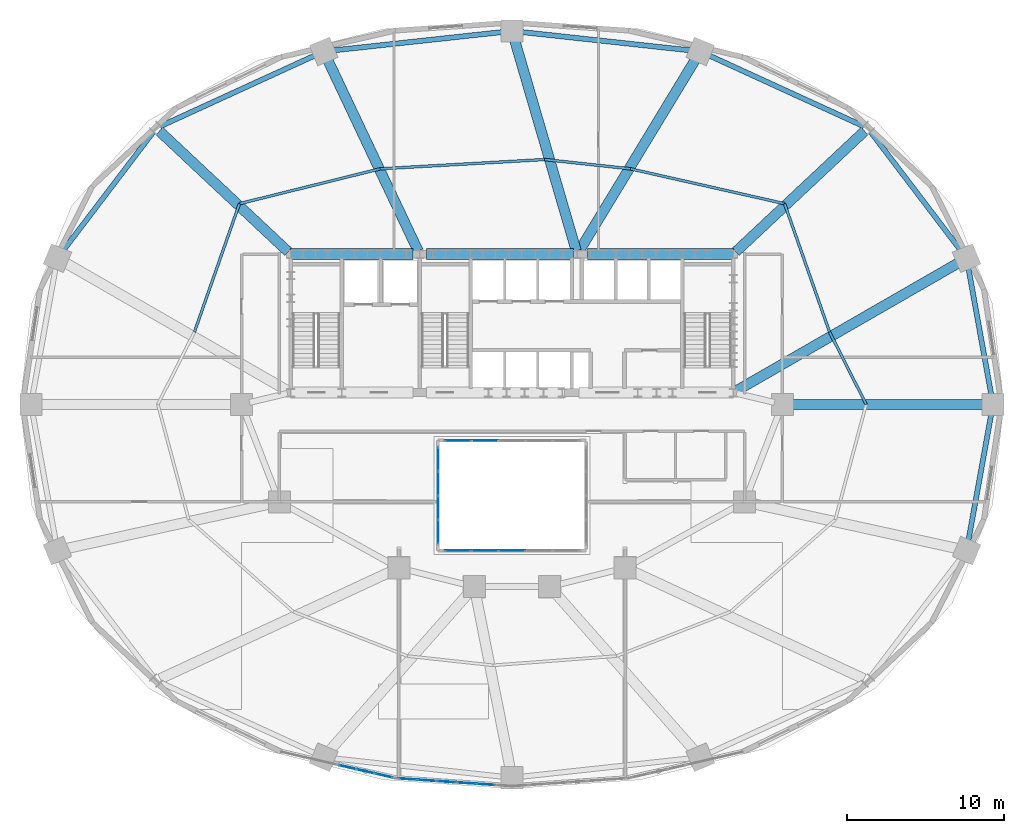
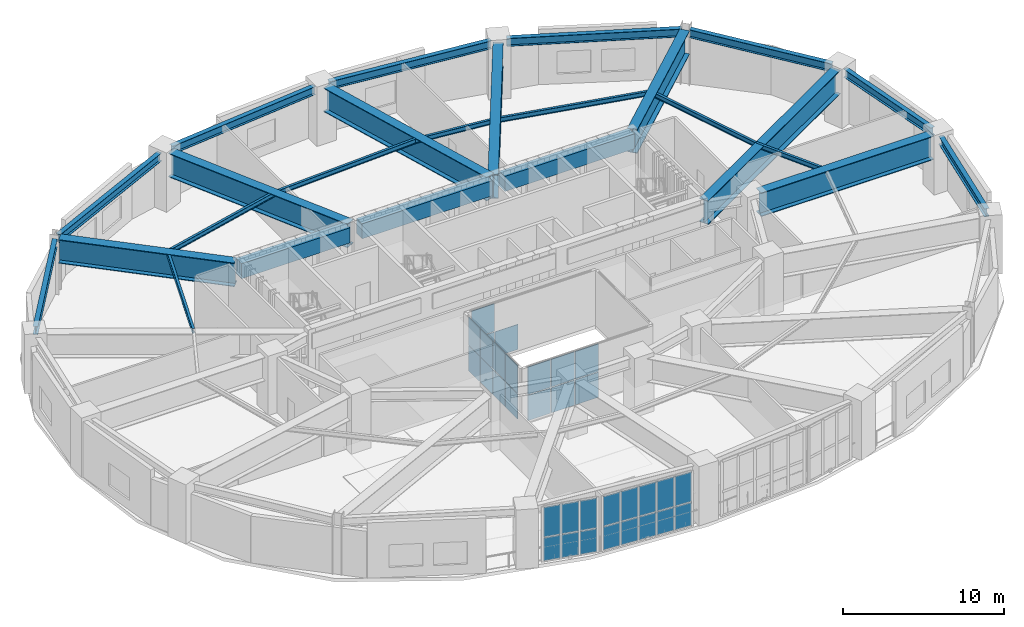
# One storey, part 7 of 13: 33 plates, 25 beams, 5 elements without a shape of their own.
"""IFC4 building model written with IfcOpenShell, lengths in metres."""

from ifc_helpers import new_model, si_unit, direction, frame, origin, origin_2d, place, context, subcontext, project, spatial, rectangle, i_section, extrude, material, layer, layer_set, material_profile, profile_set, type_object, element, aggregate, save


model = new_model("IFC4")

# Units and contexts
model_context = context("Model", 3, precision=1e-05, world=origin(), true_north=direction((0.0, 1.0)))
body_context = subcontext(model_context, "Body", "Model", "MODEL_VIEW")
ifc_project = project(units=[si_unit("LENGTHUNIT", "METRE"), si_unit("AREAUNIT", "SQUARE_METRE"), si_unit("VOLUMEUNIT", "CUBIC_METRE"), si_unit("PLANEANGLEUNIT", "RADIAN"), si_unit("MASSUNIT", "GRAM", prefix="KILO")], contexts=[model_context])

# Site, building, storey
site_placement = place(None, origin())
site = spatial("IfcSite", under=ifc_project, at=site_placement, CompositionType="ELEMENT")
building_placement = place(site_placement, origin())
building = spatial("IfcBuilding", under=site, at=building_placement, Name="Haldorwick Loom Tower", CompositionType="ELEMENT")
storey_placement = place(building_placement, frame((0.0, 0.0, 72.300048828125)))
storey = spatial("IfcBuildingStorey", under=building, at=storey_placement, Name="L19", CompositionType="ELEMENT", Elevation=72.300048828125)

# Beams
ifc_material_1 = material(Name="Concrete C60 (60 MPa)", Category="concrete")
ifc_material_profile_1 = material_profile(ifc_material_1, rectangle(XDim=0.699951171875, YDim=1.14990234375, at=origin_2d()), Name="RC700X1150", Category="concrete")
ifc_profile_set_1 = profile_set([ifc_material_profile_1], Name="Concrete C60 (60 MPa)")
beam_type_1 = type_object("IfcBeamType", Name="STR-BM-CB1150", PredefinedType="LINTEL", material=ifc_profile_set_1)
beam_1_placement = place(storey_placement, frame((21.89990234375, 35.550048828125, 3.625), z_axis=(1.0, 0.0, 0.0), x_axis=(0.0, 1.0, 0.0)))
element("IfcBeam", 1, at=beam_1_placement, inside=storey, type_object=beam_type_1, Name="L19 Core Coupling Beam CB-N1", PredefinedType="LINTEL", context=body_context, shape_type="SweptSolid", body=[
    extrude(rectangle(XDim=0.699951171875, YDim=1.14990234375, at=origin_2d()), origin(), (0.0, 0.0, 1.0), 7.800048828125),
])
beam_2_placement = place(storey_placement, frame((30.550048828125, 35.550048828125, 3.625), z_axis=(1.0, 0.0, 0.0), x_axis=(0.0, 1.0, 0.0)))
element("IfcBeam", 2, at=beam_2_placement, inside=storey, type_object=beam_type_1, Name="L19 Core Coupling Beam CB-N2", PredefinedType="LINTEL", context=body_context, shape_type="SweptSolid", body=[
    extrude(rectangle(XDim=0.699951171875, YDim=1.14990234375, at=origin_2d()), origin(), (0.0, 0.0, 1.0), 9.349853515625),
])
beam_3_placement = place(storey_placement, frame((40.800048828125, 35.550048828125, 3.625), z_axis=(1.0, 0.0, 0.0), x_axis=(0.0, 1.0, 0.0)))
element("IfcBeam", 3, at=beam_3_placement, inside=storey, type_object=beam_type_1, Name="L19 Core Coupling Beam CB-N3", PredefinedType="LINTEL", context=body_context, shape_type="SweptSolid", body=[
    extrude(rectangle(XDim=0.699951171875, YDim=1.14990234375, at=origin_2d()), origin(), (0.0, 0.0, 1.0), 9.300048828125),
])
ifc_material_2 = material(Name="Steel CSA G40.21 350W", Category="steel")
ifc_material_profile_2 = material_profile(ifc_material_2, i_section(OverallWidth=0.172119140625, OverallDepth=0.35791015625, WebThickness=0.0078125, FlangeThickness=0.01318359375, at=origin_2d()), Name="W360X57", Category="steel")
ifc_profile_set_2 = profile_set([ifc_material_profile_2], Name="Steel CSA G40.21 350W")
beam_type_2 = type_object("IfcBeamType", Name="STR-BM-J360", PredefinedType="JOIST", material=ifc_profile_set_2)
beam_4_placement = place(storey_placement, frame((58.52880859375, 26.0, 4.02099609375), z_axis=(-0.451373231558, 0.892335254169, 0.0), x_axis=(-0.892335254169, -0.451373231558, 0.0)))
element("IfcBeam", 4, at=beam_4_placement, inside=storey, type_object=beam_type_2, Name="L19 Mid-Bay Secondary Joist 1", PredefinedType="JOIST", context=body_context, shape_type="SweptSolid", body=[
    extrude(i_section(OverallWidth=0.172119140625, OverallDepth=0.35791015625, WebThickness=0.0078125, FlangeThickness=0.01318359375, at=origin_2d()), origin(), (0.0, 0.0, 1.0), 5.158935546875),
])
beam_5_placement = place(storey_placement, frame((56.2001953125, 30.603515625, 4.02099609375), z_axis=(-0.330864603503, 0.943678236556, 0.0), x_axis=(-0.943678236556, -0.330864603503, 0.0)))
element("IfcBeam", 5, at=beam_5_placement, inside=storey, type_object=beam_type_2, Name="L19 Mid-Bay Secondary Joist 2", PredefinedType="JOIST", context=body_context, shape_type="SweptSolid", body=[
    extrude(i_section(OverallWidth=0.172119140625, OverallDepth=0.35791015625, WebThickness=0.0078125, FlangeThickness=0.01318359375, at=origin_2d()), origin(), (0.0, 0.0, 1.0), 8.6494140625),
])
beam_6_placement = place(storey_placement, frame((53.33837890625, 38.765869140625, 4.02099609375), z_axis=(-0.975380231772, 0.22052982444, 0.0), x_axis=(-0.22052982444, -0.975380231772, 0.0)))
element("IfcBeam", 6, at=beam_6_placement, inside=storey, type_object=beam_type_2, Name="L19 Mid-Bay Secondary Joist 3", PredefinedType="JOIST", context=body_context, shape_type="SweptSolid", body=[
    extrude(i_section(OverallWidth=0.172119140625, OverallDepth=0.35791015625, WebThickness=0.0078125, FlangeThickness=0.01318359375, at=origin_2d()), origin(), (0.0, 0.0, 1.0), 10.0576171875),
])
beam_7_placement = place(storey_placement, frame((43.5283203125, 40.98388671875, 4.02099609375), z_axis=(-0.994191869342, 0.107622148904, 0.0), x_axis=(-0.107622148904, -0.994191869342, 0.0)))
element("IfcBeam", 7, at=beam_7_placement, inside=storey, type_object=beam_type_2, Name="L19 Mid-Bay Secondary Joist 4", PredefinedType="JOIST", context=body_context, shape_type="SweptSolid", body=[
    extrude(i_section(OverallWidth=0.172119140625, OverallDepth=0.35791015625, WebThickness=0.0078125, FlangeThickness=0.01318359375, at=origin_2d()), origin(), (0.0, 0.0, 1.0), 5.485107421875),
])
beam_8_placement = place(storey_placement, frame((38.074951171875, 41.57421875, 4.02099609375), z_axis=(-0.998412171013, -0.056330602457, 0.0), x_axis=(0.056330602457, -0.998412171013, 0.0)))
element("IfcBeam", 8, at=beam_8_placement, inside=storey, type_object=beam_type_2, Name="L19 Mid-Bay Secondary Joist 5", PredefinedType="JOIST", context=body_context, shape_type="SweptSolid", body=[
    extrude(i_section(OverallWidth=0.172119140625, OverallDepth=0.35791015625, WebThickness=0.0078125, FlangeThickness=0.01318359375, at=origin_2d()), origin(), (0.0, 0.0, 1.0), 10.479736328125),
])
beam_9_placement = place(storey_placement, frame((27.61181640625, 40.98388671875, 4.02099609375), z_axis=(-0.970638838364, -0.240541567009, 0.0), x_axis=(0.240541567009, -0.970638838364, 0.0)))
element("IfcBeam", 9, at=beam_9_placement, inside=storey, type_object=beam_type_2, Name="L19 Mid-Bay Secondary Joist 6", PredefinedType="JOIST", context=body_context, shape_type="SweptSolid", body=[
    extrude(i_section(OverallWidth=0.172119140625, OverallDepth=0.35791015625, WebThickness=0.0078125, FlangeThickness=0.01318359375, at=origin_2d()), origin(), (0.0, 0.0, 1.0), 9.220947265625),
])
beam_10_placement = place(storey_placement, frame((18.66162109375, 38.765869140625, 4.02099609375), z_axis=(-0.330864603503, -0.943678236556, 0.0), x_axis=(0.943678236556, -0.330864603503, 0.0)))
element("IfcBeam", 10, at=beam_10_placement, inside=storey, type_object=beam_type_2, Name="L19 Mid-Bay Secondary Joist 7", PredefinedType="JOIST", context=body_context, shape_type="SweptSolid", body=[
    extrude(i_section(OverallWidth=0.172119140625, OverallDepth=0.35791015625, WebThickness=0.0078125, FlangeThickness=0.01318359375, at=origin_2d()), origin(), (0.0, 0.0, 1.0), 8.6494140625),
])
ifc_material_profile_3 = material_profile(ifc_material_2, i_section(OverallWidth=0.324951171875, OverallDepth=0.615966796875, WebThickness=0.013916015625, FlangeThickness=0.021484375, at=origin_2d()), Name="W610X174", Category="steel")
ifc_profile_set_3 = profile_set([ifc_material_profile_3], Name="Steel CSA G40.21 350W")
beam_type_3 = type_object("IfcBeamType", Name="STR-BM-SP610", PredefinedType="SPANDREL", material=ifc_profile_set_3)
beam_11_placement = place(storey_placement, frame((66.503662109375, 26.51171875, 3.891845703125), z_axis=(-0.177641139482, 0.984095333575, 0.0), x_axis=(-0.984095333575, -0.177641139482, 0.0)))
element("IfcBeam", 11, at=beam_11_placement, inside=storey, type_object=beam_type_3, Name="L19 Perimeter Spandrel 1", PredefinedType="SPANDREL", context=body_context, shape_type="SweptSolid", body=[
    extrude(i_section(OverallWidth=0.324951171875, OverallDepth=0.615966796875, WebThickness=0.013916015625, FlangeThickness=0.021484375, at=origin_2d()), origin(), (0.0, 0.0, 1.0), 8.40966796875),
])
beam_12_placement = place(storey_placement, frame((64.602783203125, 35.713134765625, 3.891845703125), z_axis=(-0.605084557744, 0.796161213562, 0.0), x_axis=(-0.796161213562, -0.605084557744, 0.0)))
element("IfcBeam", 12, at=beam_12_placement, inside=storey, type_object=beam_type_3, Name="L19 Perimeter Spandrel 2", PredefinedType="SPANDREL", context=body_context, shape_type="SweptSolid", body=[
    extrude(i_section(OverallWidth=0.324951171875, OverallDepth=0.615966796875, WebThickness=0.013916015625, FlangeThickness=0.021484375, at=origin_2d()), origin(), (0.0, 0.0, 1.0), 9.595703125),
])
beam_13_placement = place(storey_placement, frame((58.380126953125, 43.68603515625, 3.891845703125), z_axis=(-0.909173805321, 0.416416848504, 0.0), x_axis=(-0.416416848504, -0.909173805321, 0.0)))
element("IfcBeam", 13, at=beam_13_placement, inside=storey, type_object=beam_type_3, Name="L19 Perimeter Spandrel 3", PredefinedType="SPANDREL", context=body_context, shape_type="SweptSolid", body=[
    extrude(i_section(OverallWidth=0.324951171875, OverallDepth=0.615966796875, WebThickness=0.013916015625, FlangeThickness=0.021484375, at=origin_2d()), origin(), (0.0, 0.0, 1.0), 10.92138671875),
])
for number, where, z_axis, x_axis, name in (
    (14, (47.4609375, 48.50634765625, 3.891845703125), (-0.994164438636, 0.107875247167, 0.0), (-0.107875247167, -0.994164438636, 0.0), "L19 Perimeter Spandrel 4"),
    (15, (35.48291015625, 49.69384765625, 3.891845703125), (-0.994164438636, -0.107875247167, 0.0), (0.107875247167, -0.994164438636, 0.0), "L19 Perimeter Spandrel 5"),
):
    element("IfcBeam", number, at=place(storey_placement, frame(where, z_axis=z_axis, x_axis=x_axis)), inside=storey, type_object=beam_type_3, Name=name, PredefinedType="SPANDREL", context=body_context, shape_type="SweptSolid", body=[
        extrude(i_section(OverallWidth=0.324951171875, OverallDepth=0.615966796875, WebThickness=0.013916015625, FlangeThickness=0.021484375, at=origin_2d()), origin(), (0.0, 0.0, 1.0), 11.008056640625),
    ])
beam_14_placement = place(storey_placement, frame((23.54931640625, 48.23388671875, 3.891845703125), z_axis=(-0.909173805321, -0.416416848504, 0.0), x_axis=(0.416416848504, -0.909173805321, 0.0)))
element("IfcBeam", 16, at=beam_14_placement, inside=storey, type_object=beam_type_3, Name="L19 Perimeter Spandrel 6", PredefinedType="SPANDREL", context=body_context, shape_type="SweptSolid", body=[
    extrude(i_section(OverallWidth=0.324951171875, OverallDepth=0.615966796875, WebThickness=0.013916015625, FlangeThickness=0.021484375, at=origin_2d()), origin(), (0.0, 0.0, 1.0), 10.92138671875),
])
beam_15_placement = place(storey_placement, frame((13.203369140625, 43.352783203125, 3.891845703125), z_axis=(-0.605084557744, -0.796161213562, 0.0), x_axis=(0.796161213562, -0.605084557744, 0.0)))
element("IfcBeam", 17, at=beam_15_placement, inside=storey, type_object=beam_type_3, Name="L19 Perimeter Spandrel 7", PredefinedType="SPANDREL", context=body_context, shape_type="SweptSolid", body=[
    extrude(i_section(OverallWidth=0.324951171875, OverallDepth=0.615966796875, WebThickness=0.013916015625, FlangeThickness=0.021484375, at=origin_2d()), origin(), (0.0, 0.0, 1.0), 9.595703125),
])
beam_16_placement = place(storey_placement, frame((65.009765625, 17.21240234375, 3.891845703125), z_axis=(0.177641139482, 0.984095333575, 0.0), x_axis=(-0.984095333575, 0.177641139482, 0.0)))
element("IfcBeam", 18, at=beam_16_placement, inside=storey, type_object=beam_type_3, Name="L19 Perimeter Spandrel 16", PredefinedType="SPANDREL", context=body_context, shape_type="SweptSolid", body=[
    extrude(i_section(OverallWidth=0.324951171875, OverallDepth=0.615966796875, WebThickness=0.013916015625, FlangeThickness=0.021484375, at=origin_2d()), origin(), (0.0, 0.0, 1.0), 8.40966796875),
])
ifc_material_3 = material(Name="Steel CSA G40.21 350WT", Category="steel")
ifc_material_profile_4 = material_profile(ifc_material_3, i_section(OverallWidth=0.64990234375, OverallDepth=1.800048828125, WebThickness=0.02587890625, FlangeThickness=0.048095703125, at=origin_2d()), Name="WWF1800X650", Category="steel")
ifc_profile_set_4 = profile_set([ifc_material_profile_4], Name="Steel CSA G40.21 350WT")
beam_type_4 = type_object("IfcBeamType", Name="STR-BM-TG1800", PredefinedType="BEAM", material=ifc_profile_set_4)
beam_17_placement = place(storey_placement, frame((53.719970703125, 26.0, 3.300048828125), z_axis=(1.0, 0.0, 0.0), x_axis=(0.0, 1.0, 0.0)))
element("IfcBeam", 19, at=beam_17_placement, inside=storey, type_object=beam_type_4, Name="L19 Setback Inner Transfer Girder 1", PredefinedType="BEAM", context=body_context, shape_type="SweptSolid", body=[
    extrude(i_section(OverallWidth=0.64990234375, OverallDepth=1.800048828125, WebThickness=0.02587890625, FlangeThickness=0.048095703125, at=origin_2d()), origin(), (0.0, 0.0, 1.0), 12.35595703125),
])
beam_18_placement = place(storey_placement, frame((50.264892578125, 26.8623046875, 3.300048828125), z_axis=(0.86660566838, 0.498993602696, 0.0), x_axis=(-0.498993602696, 0.86660566838, 0.0)))
element("IfcBeam", 20, at=beam_18_placement, inside=storey, type_object=beam_type_4, Name="L19 Setback Inner Transfer Girder 2", PredefinedType="BEAM", context=body_context, shape_type="SweptSolid", body=[
    extrude(i_section(OverallWidth=0.64990234375, OverallDepth=1.800048828125, WebThickness=0.02587890625, FlangeThickness=0.048095703125, at=origin_2d()), origin(), (0.0, 0.0, 1.0), 16.387939453125),
])
beam_19_placement = place(storey_placement, frame((50.234130859375, 35.703857421875, 3.300048828125), z_axis=(0.729689033278, 0.683779141766, 0.0), x_axis=(-0.683779141766, 0.729689033278, 0.0)))
element("IfcBeam", 21, at=beam_19_placement, inside=storey, type_object=beam_type_4, Name="L19 Setback Inner Transfer Girder 3", PredefinedType="BEAM", context=body_context, shape_type="SweptSolid", body=[
    extrude(i_section(OverallWidth=0.64990234375, OverallDepth=1.800048828125, WebThickness=0.02587890625, FlangeThickness=0.048095703125, at=origin_2d()), origin(), (0.0, 0.0, 1.0), 11.231201171875),
])
beam_20_placement = place(storey_placement, frame((40.2666015625, 35.742431640625, 3.300048828125), z_axis=(0.518781813409, 0.854906679162, 0.0), x_axis=(-0.854906679162, 0.518781813409, 0.0)))
element("IfcBeam", 22, at=beam_20_placement, inside=storey, type_object=beam_type_4, Name="L19 Setback Inner Transfer Girder 4", PredefinedType="BEAM", context=body_context, shape_type="SweptSolid", body=[
    extrude(i_section(OverallWidth=0.64990234375, OverallDepth=1.800048828125, WebThickness=0.02587890625, FlangeThickness=0.048095703125, at=origin_2d()), origin(), (0.0, 0.0, 1.0), 14.344482421875),
])
beam_21_placement = place(storey_placement, frame((40.0869140625, 35.76611328125, 3.300048828125), z_axis=(-0.28051378914, 0.959849995625, 0.0), x_axis=(-0.959849995625, -0.28051378914, 0.0)))
element("IfcBeam", 23, at=beam_21_placement, inside=storey, type_object=beam_type_4, Name="L19 Setback Inner Transfer Girder 5", PredefinedType="BEAM", context=body_context, shape_type="SweptSolid", body=[
    extrude(i_section(OverallWidth=0.64990234375, OverallDepth=1.800048828125, WebThickness=0.02587890625, FlangeThickness=0.048095703125, at=origin_2d()), origin(), (0.0, 0.0, 1.0), 14.048828125),
])
beam_22_placement = place(storey_placement, frame((30.03369140625, 35.75341796875, 3.300048828125), z_axis=(-0.427945149389, 0.903804707398, 0.0), x_axis=(-0.903804707398, -0.427945149389, 0.0)))
element("IfcBeam", 24, at=beam_22_placement, inside=storey, type_object=beam_type_4, Name="L19 Setback Inner Transfer Girder 6", PredefinedType="BEAM", context=body_context, shape_type="SweptSolid", body=[
    extrude(i_section(OverallWidth=0.64990234375, OverallDepth=1.800048828125, WebThickness=0.02587890625, FlangeThickness=0.048095703125, at=origin_2d()), origin(), (0.0, 0.0, 1.0), 13.528076171875),
])
beam_23_placement = place(storey_placement, frame((21.765869140625, 35.703857421875, 3.300048828125), z_axis=(-0.729689033278, 0.683779141766, 0.0), x_axis=(-0.683779141766, -0.729689033278, 0.0)))
element("IfcBeam", 25, at=beam_23_placement, inside=storey, type_object=beam_type_4, Name="L19 Setback Inner Transfer Girder 7", PredefinedType="BEAM", context=body_context, shape_type="SweptSolid", body=[
    extrude(i_section(OverallWidth=0.64990234375, OverallDepth=1.800048828125, WebThickness=0.02587890625, FlangeThickness=0.048095703125, at=origin_2d()), origin(), (0.0, 0.0, 1.0), 11.231201171875),
])

# Curtain wall, plates
ifc_material_4 = material(Name="Thermally Broken Anodized Aluminium Curtain Wall Framing", Category="aluminium")
curtain_wall_type_1 = type_object("IfcCurtainWallType", Name="ARC-CW-03", PredefinedType="NOTDEFINED", material=ifc_material_4)
curtain_wall_1_placement = place(storey_placement, origin())
curtain_wall_1 = element("IfcCurtainWall", 26, at=curtain_wall_1_placement, inside=storey, type_object=curtain_wall_type_1, Name="L19 Atrium Glazed Screen S", PredefinedType="NOTDEFINED")
ifc_material_5 = material(Name="Triple-Glazed Low-E Argon Insulated Glazing Unit", Category="glass")
ifc_layer_1 = layer(ifc_material_5, 0.04296875, Name="Triple-Glazed Low-E Argon Insulated Glazing Unit", Category="glass")
ifc_layer_set_1 = layer_set([ifc_layer_1], Name="Triple-Glazed Low-E Argon Insulated Glazing Unit")
plate_type_1 = type_object("IfcPlateType", Name="ARC-CWP-03", PredefinedType="CURTAIN_PANEL", material=ifc_layer_set_1)
plate_1_placement = place(storey_placement, frame((36.0, 16.699951171875, 0.06591796875), z_axis=(0.0, 0.0, 1.0), x_axis=(-1.0, 0.0, 0.0)))
plate_1 = element("IfcPlate", 27, at=plate_1_placement, type_object=plate_type_1, Name="CW-03 panel 3.1", PredefinedType="CURTAIN_PANEL", context=body_context, shape_type="SweptSolid", body=[
    extrude(rectangle(XDim=1.654052734375, YDim=0.04296875, at=origin_2d()), origin(), (0.0, 0.0, 1.0), 1.90087890625),
])
plate_2_placement = place(storey_placement, frame((36.0, 16.699951171875, 2.032958984375), z_axis=(0.0, 0.0, 1.0), x_axis=(-1.0, 0.0, 0.0)))
plate_2 = element("IfcPlate", 28, at=plate_2_placement, type_object=plate_type_1, Name="CW-03 panel 3.2", PredefinedType="CURTAIN_PANEL", context=body_context, shape_type="SweptSolid", body=[
    extrude(rectangle(XDim=1.654052734375, YDim=0.04296875, at=origin_2d()), origin(), (0.0, 0.0, 1.0), 2.10107421875),
])
plate_3_placement = place(storey_placement, frame((34.280029296875, 16.699951171875, 0.06591796875), z_axis=(0.0, 0.0, 1.0), x_axis=(-1.0, 0.0, 0.0)))
plate_3 = element("IfcPlate", 29, at=plate_3_placement, type_object=plate_type_1, Name="CW-03 panel 4.1", PredefinedType="CURTAIN_PANEL", context=body_context, shape_type="SweptSolid", body=[
    extrude(rectangle(XDim=1.654052734375, YDim=0.04296875, at=origin_2d()), origin(), (0.0, 0.0, 1.0), 1.90087890625),
])
plate_4_placement = place(storey_placement, frame((34.280029296875, 16.699951171875, 2.032958984375), z_axis=(0.0, 0.0, 1.0), x_axis=(-1.0, 0.0, 0.0)))
plate_4 = element("IfcPlate", 30, at=plate_4_placement, type_object=plate_type_1, Name="CW-03 panel 4.2", PredefinedType="CURTAIN_PANEL", context=body_context, shape_type="SweptSolid", body=[
    extrude(rectangle(XDim=1.654052734375, YDim=0.04296875, at=origin_2d()), origin(), (0.0, 0.0, 1.0), 2.10107421875),
])
plate_5_placement = place(storey_placement, frame((32.576416015625, 16.699951171875, 0.06591796875), z_axis=(0.0, 0.0, 1.0), x_axis=(-1.0, 0.0, 0.0)))
plate_5 = element("IfcPlate", 31, at=plate_5_placement, type_object=plate_type_1, Name="CW-03 panel 5.1", PredefinedType="CURTAIN_PANEL", context=body_context, shape_type="SweptSolid", body=[
    extrude(rectangle(XDim=1.62109375, YDim=0.04296875, at=origin_2d()), origin(), (0.0, 0.0, 1.0), 1.90087890625),
])
plate_6_placement = place(storey_placement, frame((32.576416015625, 16.699951171875, 2.032958984375), z_axis=(0.0, 0.0, 1.0), x_axis=(-1.0, 0.0, 0.0)))
plate_6 = element("IfcPlate", 32, at=plate_6_placement, type_object=plate_type_1, Name="CW-03 panel 5.2", PredefinedType="CURTAIN_PANEL", context=body_context, shape_type="SweptSolid", body=[
    extrude(rectangle(XDim=1.62109375, YDim=0.04296875, at=origin_2d()), origin(), (0.0, 0.0, 1.0), 2.10107421875),
])
aggregate(curtain_wall_1, [plate_1, plate_2, plate_3, plate_4, plate_5, plate_6])

curtain_wall_2_placement = place(storey_placement, origin())
curtain_wall_2 = element("IfcCurtainWall", 33, at=curtain_wall_2_placement, inside=storey, type_object=curtain_wall_type_1, Name="L19 Atrium Glazed Screen N", PredefinedType="NOTDEFINED")
plate_7_placement = place(storey_placement, frame((32.576416015625, 23.699951171875, 0.06591796875), z_axis=(0.0, 0.0, 1.0), x_axis=(1.0, 0.0, 0.0)))
plate_7 = element("IfcPlate", 34, at=plate_7_placement, type_object=plate_type_1, Name="CW-03 panel 1.1", PredefinedType="CURTAIN_PANEL", context=body_context, shape_type="SweptSolid", body=[
    extrude(rectangle(XDim=1.62109375, YDim=0.04296875, at=origin_2d()), origin(), (0.0, 0.0, 1.0), 1.90087890625),
])
plate_8_placement = place(storey_placement, frame((32.576416015625, 23.699951171875, 2.032958984375), z_axis=(0.0, 0.0, 1.0), x_axis=(1.0, 0.0, 0.0)))
plate_8 = element("IfcPlate", 35, at=plate_8_placement, type_object=plate_type_1, Name="CW-03 panel 1.2", PredefinedType="CURTAIN_PANEL", context=body_context, shape_type="SweptSolid", body=[
    extrude(rectangle(XDim=1.62109375, YDim=0.04296875, at=origin_2d()), origin(), (0.0, 0.0, 1.0), 2.10107421875),
])
plate_9_placement = place(storey_placement, frame((34.280029296875, 23.699951171875, 0.06591796875), z_axis=(0.0, 0.0, 1.0), x_axis=(1.0, 0.0, 0.0)))
plate_9 = element("IfcPlate", 36, at=plate_9_placement, type_object=plate_type_1, Name="CW-03 panel 2.1", PredefinedType="CURTAIN_PANEL", context=body_context, shape_type="SweptSolid", body=[
    extrude(rectangle(XDim=1.654052734375, YDim=0.04296875, at=origin_2d()), origin(), (0.0, 0.0, 1.0), 1.90087890625),
])
aggregate(curtain_wall_2, [plate_7, plate_8, plate_9])

curtain_wall_3_placement = place(storey_placement, origin())
curtain_wall_3 = element("IfcCurtainWall", 37, at=curtain_wall_3_placement, inside=storey, type_object=curtain_wall_type_1, Name="L19 Atrium Glazed Screen W", PredefinedType="NOTDEFINED")
plate_10_placement = place(storey_placement, frame((31.300048828125, 17.8916015625, 0.06591796875), z_axis=(0.0, 0.0, 1.0), x_axis=(0.0, 1.0, 0.0)))
plate_10 = element("IfcPlate", 38, at=plate_10_placement, type_object=plate_type_1, Name="CW-03 panel 1.1", PredefinedType="CURTAIN_PANEL", context=body_context, shape_type="SweptSolid", body=[
    extrude(rectangle(XDim=1.450927734375, YDim=0.04296875, at=origin_2d()), origin(), (0.0, 0.0, 1.0), 1.90087890625),
])
plate_11_placement = place(storey_placement, frame((31.300048828125, 17.8916015625, 2.032958984375), z_axis=(0.0, 0.0, 1.0), x_axis=(0.0, 1.0, 0.0)))
plate_11 = element("IfcPlate", 39, at=plate_11_placement, type_object=plate_type_1, Name="CW-03 panel 1.2", PredefinedType="CURTAIN_PANEL", context=body_context, shape_type="SweptSolid", body=[
    extrude(rectangle(XDim=1.450927734375, YDim=0.04296875, at=origin_2d()), origin(), (0.0, 0.0, 1.0), 2.10107421875),
])
plate_12_placement = place(storey_placement, frame((31.300048828125, 19.425048828125, 0.06591796875), z_axis=(0.0, 0.0, 1.0), x_axis=(0.0, 1.0, 0.0)))
plate_12 = element("IfcPlate", 40, at=plate_12_placement, type_object=plate_type_1, Name="CW-03 panel 2.1", PredefinedType="CURTAIN_PANEL", context=body_context, shape_type="SweptSolid", body=[
    extrude(rectangle(XDim=1.48388671875, YDim=0.04296875, at=origin_2d()), origin(), (0.0, 0.0, 1.0), 1.90087890625),
])
plate_13_placement = place(storey_placement, frame((31.300048828125, 19.425048828125, 2.032958984375), z_axis=(0.0, 0.0, 1.0), x_axis=(0.0, 1.0, 0.0)))
plate_13 = element("IfcPlate", 41, at=plate_13_placement, type_object=plate_type_1, Name="CW-03 panel 2.2", PredefinedType="CURTAIN_PANEL", context=body_context, shape_type="SweptSolid", body=[
    extrude(rectangle(XDim=1.48388671875, YDim=0.04296875, at=origin_2d()), origin(), (0.0, 0.0, 1.0), 2.10107421875),
])
plate_14_placement = place(storey_placement, frame((31.300048828125, 20.97509765625, 0.06591796875), z_axis=(0.0, 0.0, 1.0), x_axis=(0.0, 1.0, 0.0)))
plate_14 = element("IfcPlate", 42, at=plate_14_placement, type_object=plate_type_1, Name="CW-03 panel 3.1", PredefinedType="CURTAIN_PANEL", context=body_context, shape_type="SweptSolid", body=[
    extrude(rectangle(XDim=1.48388671875, YDim=0.04296875, at=origin_2d()), origin(), (0.0, 0.0, 1.0), 1.90087890625),
])
plate_15_placement = place(storey_placement, frame((31.300048828125, 20.97509765625, 2.032958984375), z_axis=(0.0, 0.0, 1.0), x_axis=(0.0, 1.0, 0.0)))
plate_15 = element("IfcPlate", 43, at=plate_15_placement, type_object=plate_type_1, Name="CW-03 panel 3.2", PredefinedType="CURTAIN_PANEL", context=body_context, shape_type="SweptSolid", body=[
    extrude(rectangle(XDim=1.48388671875, YDim=0.04296875, at=origin_2d()), origin(), (0.0, 0.0, 1.0), 2.10107421875),
])
plate_16_placement = place(storey_placement, frame((31.300048828125, 22.508544921875, 0.06591796875), z_axis=(0.0, 0.0, 1.0), x_axis=(0.0, 1.0, 0.0)))
plate_16 = element("IfcPlate", 44, at=plate_16_placement, type_object=plate_type_1, Name="CW-03 panel 4.1", PredefinedType="CURTAIN_PANEL", context=body_context, shape_type="SweptSolid", body=[
    extrude(rectangle(XDim=1.450927734375, YDim=0.04296875, at=origin_2d()), origin(), (0.0, 0.0, 1.0), 1.90087890625),
])
plate_17_placement = place(storey_placement, frame((31.300048828125, 22.508544921875, 2.032958984375), z_axis=(0.0, 0.0, 1.0), x_axis=(0.0, 1.0, 0.0)))
plate_17 = element("IfcPlate", 45, at=plate_17_placement, type_object=plate_type_1, Name="CW-03 panel 4.2", PredefinedType="CURTAIN_PANEL", context=body_context, shape_type="SweptSolid", body=[
    extrude(rectangle(XDim=1.450927734375, YDim=0.04296875, at=origin_2d()), origin(), (0.0, 0.0, 1.0), 2.10107421875),
])
aggregate(curtain_wall_3, [plate_10, plate_11, plate_12, plate_13, plate_14, plate_15, plate_16, plate_17])

curtain_wall_type_2 = type_object("IfcCurtainWallType", Name="ARC-CW-05", PredefinedType="NOTDEFINED", material=ifc_material_4)
curtain_wall_4_placement = place(storey_placement, origin())
curtain_wall_4 = element("IfcCurtainWall", 46, at=curtain_wall_4_placement, inside=storey, type_object=curtain_wall_type_2, Name="L19 Facade Curtain Wall CW-05 Bay 17", PredefinedType="NOTDEFINED")
ifc_layer_2 = layer(ifc_material_5, 0.049072265625, Name="Triple-Glazed Low-E Argon Insulated Glazing Unit", Category="glass")
ifc_layer_set_2 = layer_set([ifc_layer_2], Name="Triple-Glazed Low-E Argon Insulated Glazing Unit")
plate_type_2 = type_object("IfcPlateType", Name="ARC-CWP-05", PredefinedType="CURTAIN_PANEL", material=ifc_layer_set_2)
plate_18_placement = place(storey_placement, frame((25.5380859375, 2.921630859375, 0.06787109375), z_axis=(0.0, 0.0, 1.0), x_axis=(0.974522731256, -0.224288756442, 0.0)))
plate_18 = element("IfcPlate", 47, at=plate_18_placement, type_object=plate_type_2, Name="CW-05 panel 1.1", PredefinedType="CURTAIN_PANEL", context=body_context, shape_type="SweptSolid", body=[
    extrude(rectangle(XDim=1.100830078125, YDim=0.049072265625, at=origin_2d()), origin(), (0.0, 0.0, 1.0), 1.748046875),
])
plate_19_placement = place(storey_placement, frame((25.5380859375, 2.921630859375, 1.884033203125), z_axis=(0.0, 0.0, 1.0), x_axis=(0.974522731256, -0.224288756442, 0.0)))
plate_19 = element("IfcPlate", 48, at=plate_19_placement, type_object=plate_type_2, Name="CW-05 panel 1.2", PredefinedType="CURTAIN_PANEL", context=body_context, shape_type="SweptSolid", body=[
    extrude(rectangle(XDim=1.100830078125, YDim=0.049072265625, at=origin_2d()), origin(), (0.0, 0.0, 1.0), 2.248046875),
])
plate_20_placement = place(storey_placement, frame((26.69384765625, 2.655517578125, 0.06787109375), z_axis=(0.0, 0.0, 1.0), x_axis=(0.974522731256, -0.224288756442, 0.0)))
plate_20 = element("IfcPlate", 49, at=plate_20_placement, type_object=plate_type_2, Name="CW-05 panel 2.1", PredefinedType="CURTAIN_PANEL", context=body_context, shape_type="SweptSolid", body=[
    extrude(rectangle(XDim=1.135009765625, YDim=0.049072265625, at=origin_2d()), origin(), (0.0, 0.0, 1.0), 1.748046875),
])
plate_21_placement = place(storey_placement, frame((26.69384765625, 2.655517578125, 1.884033203125), z_axis=(0.0, 0.0, 1.0), x_axis=(0.974522731256, -0.224288756442, 0.0)))
plate_21 = element("IfcPlate", 50, at=plate_21_placement, type_object=plate_type_2, Name="CW-05 panel 2.2", PredefinedType="CURTAIN_PANEL", context=body_context, shape_type="SweptSolid", body=[
    extrude(rectangle(XDim=1.135009765625, YDim=0.049072265625, at=origin_2d()), origin(), (0.0, 0.0, 1.0), 2.248046875),
])
plate_22_placement = place(storey_placement, frame((27.849609375, 2.3896484375, 0.06787109375), z_axis=(0.0, 0.0, 1.0), x_axis=(0.974522731256, -0.224288756442, 0.0)))
plate_22 = element("IfcPlate", 51, at=plate_22_placement, type_object=plate_type_2, Name="CW-05 panel 3.1", PredefinedType="CURTAIN_PANEL", context=body_context, shape_type="SweptSolid", body=[
    extrude(rectangle(XDim=1.100830078125, YDim=0.049072265625, at=origin_2d()), origin(), (0.0, 0.0, 1.0), 1.748046875),
])
plate_23_placement = place(storey_placement, frame((27.849609375, 2.3896484375, 1.884033203125), z_axis=(0.0, 0.0, 1.0), x_axis=(0.974522731256, -0.224288756442, 0.0)))
plate_23 = element("IfcPlate", 52, at=plate_23_placement, type_object=plate_type_2, Name="CW-05 panel 3.2", PredefinedType="CURTAIN_PANEL", context=body_context, shape_type="SweptSolid", body=[
    extrude(rectangle(XDim=1.100830078125, YDim=0.049072265625, at=origin_2d()), origin(), (0.0, 0.0, 1.0), 2.248046875),
])
aggregate(curtain_wall_4, [plate_18, plate_19, plate_20, plate_21, plate_22, plate_23])

curtain_wall_5_placement = place(storey_placement, origin())
curtain_wall_5 = element("IfcCurtainWall", 53, at=curtain_wall_5_placement, inside=storey, type_object=curtain_wall_type_2, Name="L19 Facade Curtain Wall CW-05 Bay 18", PredefinedType="NOTDEFINED")
plate_24_placement = place(storey_placement, frame((29.369140625, 2.165771484375, 0.06787109375), z_axis=(0.0, 0.0, 1.0), x_axis=(0.997644995128, -0.068589093134, 0.0)))
plate_24 = element("IfcPlate", 54, at=plate_24_placement, type_object=plate_type_2, Name="CW-05 panel 1.1", PredefinedType="CURTAIN_PANEL", context=body_context, shape_type="SweptSolid", body=[
    extrude(rectangle(XDim=1.1484375, YDim=0.049072265625, at=origin_2d()), origin(), (0.0, 0.0, 1.0), 1.748046875),
])
plate_25_placement = place(storey_placement, frame((29.369140625, 2.165771484375, 1.884033203125), z_axis=(0.0, 0.0, 1.0), x_axis=(0.997644995128, -0.068589093134, 0.0)))
plate_25 = element("IfcPlate", 55, at=plate_25_placement, type_object=plate_type_2, Name="CW-05 panel 1.2", PredefinedType="CURTAIN_PANEL", context=body_context, shape_type="SweptSolid", body=[
    extrude(rectangle(XDim=1.1484375, YDim=0.049072265625, at=origin_2d()), origin(), (0.0, 0.0, 1.0), 2.248046875),
])
plate_26_placement = place(storey_placement, frame((30.599609375, 2.081298828125, 0.06787109375), z_axis=(0.0, 0.0, 1.0), x_axis=(0.997644995128, -0.068589093134, 0.0)))
plate_26 = element("IfcPlate", 56, at=plate_26_placement, type_object=plate_type_2, Name="CW-05 panel 2.1", PredefinedType="CURTAIN_PANEL", context=body_context, shape_type="SweptSolid", body=[
    extrude(rectangle(XDim=1.182373046875, YDim=0.049072265625, at=origin_2d()), origin(), (0.0, 0.0, 1.0), 1.748046875),
])
plate_27_placement = place(storey_placement, frame((30.599609375, 2.081298828125, 1.884033203125), z_axis=(0.0, 0.0, 1.0), x_axis=(0.997644995128, -0.068589093134, 0.0)))
plate_27 = element("IfcPlate", 57, at=plate_27_placement, type_object=plate_type_2, Name="CW-05 panel 2.2", PredefinedType="CURTAIN_PANEL", context=body_context, shape_type="SweptSolid", body=[
    extrude(rectangle(XDim=1.182373046875, YDim=0.049072265625, at=origin_2d()), origin(), (0.0, 0.0, 1.0), 2.248046875),
])
plate_28_placement = place(storey_placement, frame((31.846923828125, 1.99560546875, 0.06787109375), z_axis=(0.0, 0.0, 1.0), x_axis=(0.997644995128, -0.068589093134, 0.0)))
plate_28 = element("IfcPlate", 58, at=plate_28_placement, type_object=plate_type_2, Name="CW-05 panel 3.1", PredefinedType="CURTAIN_PANEL", context=body_context, shape_type="SweptSolid", body=[
    extrude(rectangle(XDim=1.182373046875, YDim=0.049072265625, at=origin_2d()), origin(), (0.0, 0.0, 1.0), 1.748046875),
])
plate_29_placement = place(storey_placement, frame((31.846923828125, 1.99560546875, 1.884033203125), z_axis=(0.0, 0.0, 1.0), x_axis=(0.997644995128, -0.068589093134, 0.0)))
plate_29 = element("IfcPlate", 59, at=plate_29_placement, type_object=plate_type_2, Name="CW-05 panel 3.2", PredefinedType="CURTAIN_PANEL", context=body_context, shape_type="SweptSolid", body=[
    extrude(rectangle(XDim=1.182373046875, YDim=0.049072265625, at=origin_2d()), origin(), (0.0, 0.0, 1.0), 2.248046875),
])
plate_30_placement = place(storey_placement, frame((33.09423828125, 1.90966796875, 0.06787109375), z_axis=(0.0, 0.0, 1.0), x_axis=(0.997644995128, -0.068589093134, 0.0)))
plate_30 = element("IfcPlate", 60, at=plate_30_placement, type_object=plate_type_2, Name="CW-05 panel 4.1", PredefinedType="CURTAIN_PANEL", context=body_context, shape_type="SweptSolid", body=[
    extrude(rectangle(XDim=1.182373046875, YDim=0.049072265625, at=origin_2d()), origin(), (0.0, 0.0, 1.0), 1.748046875),
])
plate_31_placement = place(storey_placement, frame((33.09423828125, 1.90966796875, 1.884033203125), z_axis=(0.0, 0.0, 1.0), x_axis=(0.997644995128, -0.068589093134, 0.0)))
plate_31 = element("IfcPlate", 61, at=plate_31_placement, type_object=plate_type_2, Name="CW-05 panel 4.2", PredefinedType="CURTAIN_PANEL", context=body_context, shape_type="SweptSolid", body=[
    extrude(rectangle(XDim=1.182373046875, YDim=0.049072265625, at=origin_2d()), origin(), (0.0, 0.0, 1.0), 2.248046875),
])
plate_32_placement = place(storey_placement, frame((34.32470703125, 1.8251953125, 0.06787109375), z_axis=(0.0, 0.0, 1.0), x_axis=(0.997644995128, -0.068589093134, 0.0)))
plate_32 = element("IfcPlate", 62, at=plate_32_placement, type_object=plate_type_2, Name="CW-05 panel 5.1", PredefinedType="CURTAIN_PANEL", context=body_context, shape_type="SweptSolid", body=[
    extrude(rectangle(XDim=1.1484375, YDim=0.049072265625, at=origin_2d()), origin(), (0.0, 0.0, 1.0), 1.748046875),
])
plate_33_placement = place(storey_placement, frame((34.32470703125, 1.8251953125, 1.884033203125), z_axis=(0.0, 0.0, 1.0), x_axis=(0.997644995128, -0.068589093134, 0.0)))
plate_33 = element("IfcPlate", 63, at=plate_33_placement, type_object=plate_type_2, Name="CW-05 panel 5.2", PredefinedType="CURTAIN_PANEL", context=body_context, shape_type="SweptSolid", body=[
    extrude(rectangle(XDim=1.1484375, YDim=0.049072265625, at=origin_2d()), origin(), (0.0, 0.0, 1.0), 2.248046875),
])
aggregate(curtain_wall_5, [plate_24, plate_25, plate_26, plate_27, plate_28, plate_29, plate_30, plate_31, plate_32, plate_33])

save(model, "model.ifc")
